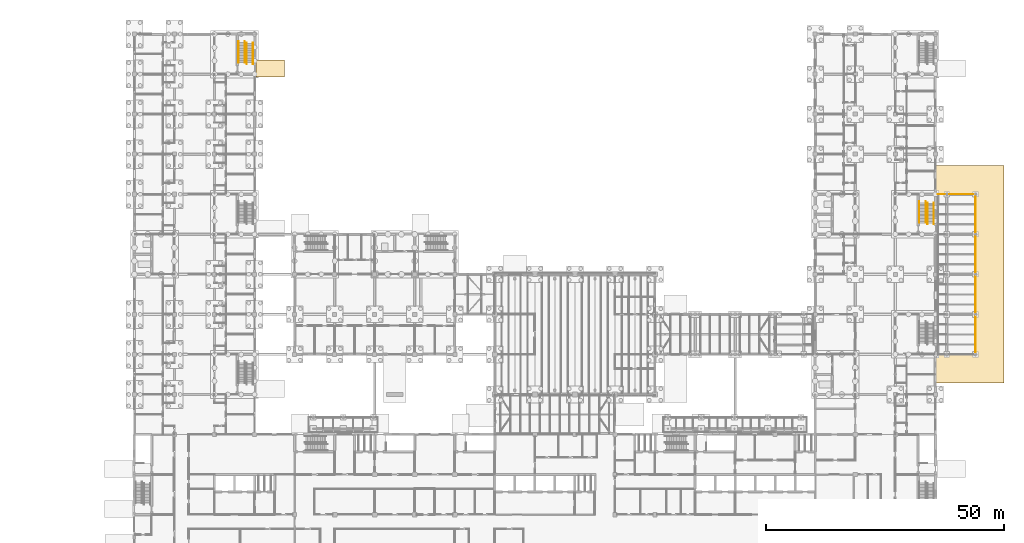
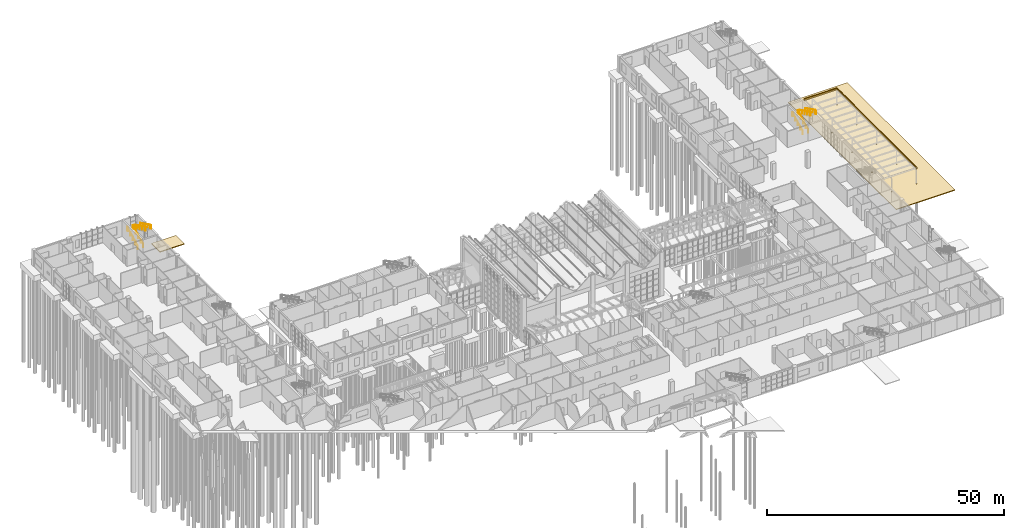
# One storey, part 136 of 138: 8 railings, 4 coverings.
"""IFC4 building model written with IfcOpenShell, lengths in metres."""

from ifc_helpers import new_model, si_unit, direction, frame, origin, origin_2d, place, context, subcontext, project, spatial, polyline, circle, outline, extrude, material, layer, layer_set, type_object, element, save


model = new_model("IFC4")

# Units and contexts
model_context = context("Model", 3, precision=1e-05, world=origin(), true_north=direction((0.0, 1.0)))
body_context = subcontext(model_context, "Body", "Model", "MODEL_VIEW")
ifc_project = project(units=[si_unit("LENGTHUNIT", "METRE"), si_unit("AREAUNIT", "SQUARE_METRE"), si_unit("VOLUMEUNIT", "CUBIC_METRE"), si_unit("PLANEANGLEUNIT", "RADIAN"), si_unit("MASSUNIT", "GRAM", prefix="KILO")], contexts=[model_context])

# Site, building, storey
site_placement = place(None, origin())
site = spatial("IfcSite", under=ifc_project, at=site_placement, CompositionType="ELEMENT")
building_placement = place(site_placement, origin())
building = spatial("IfcBuilding", under=site, at=building_placement, Name="Yavir Park General Hospital", CompositionType="ELEMENT")
storey_placement = place(building_placement, origin())
storey = spatial("IfcBuildingStorey", under=building, at=storey_placement, Name="L00", CompositionType="ELEMENT", Elevation=0.0)

# Coverings
ifc_material_1 = material(Name="Aluminium composite cladding", Category="aluminium")
ifc_layer_1 = layer(ifc_material_1, 0.0400390625)
ifc_layer_set_1 = layer_set([ifc_layer_1], Name="Aluminium composite cladding")
covering_type_1 = type_object("IfcCoveringType", Name="Canopy fascia 40", PredefinedType="CLADDING", material=ifc_layer_set_1)
covering_1_placement = place(storey_placement, frame((0.0, 0.0, 3.85009765625)))
element("IfcCovering", 1, at=covering_1_placement, inside=storey, type_object=covering_type_1, Name="Canopy fascia AMB N", PredefinedType="CLADDING", context=body_context, shape_type="SweptSolid", body=[
    extrude(outline(polyline([(168.4599609375, 84.0), (176.43994140625, 84.0), (176.43994140625, 84.0400390625), (168.4599609375, 84.0400390625), (168.4599609375, 84.0)])), origin(), (0.0, 0.0, 1.0), 0.449951171875),
])
covering_2_placement = place(storey_placement, frame((0.0, 0.0, 3.85009765625)))
element("IfcCovering", 2, at=covering_2_placement, inside=storey, type_object=covering_type_1, Name="Canopy fascia AMB E", PredefinedType="CLADDING", context=body_context, shape_type="SweptSolid", body=[
    extrude(outline(polyline([(176.39990234375, 50.39990234375), (176.43994140625, 50.39990234375), (176.43994140625, 84.0), (176.39990234375, 84.0), (176.39990234375, 50.39990234375)])), origin(), (0.0, 0.0, 1.0), 0.449951171875),
])
ifc_material_2 = material(Name="Precast paving flags on a compacted sub-base", Category="concrete")
ifc_layer_2 = layer(ifc_material_2, 0.199951171875)
ifc_layer_set_2 = layer_set([ifc_layer_2], Name="Precast paving flags on a compacted sub-base")
covering_type_2 = type_object("IfcCoveringType", Name="External paving 200", PredefinedType="FLOORING", material=ifc_layer_set_2)
covering_3_placement = place(storey_placement, frame((0.0, 0.0, -0.199951171875)))
element("IfcCovering", 3, at=covering_3_placement, inside=storey, type_object=covering_type_2, Name="Apron A under the ambulance canopy", PredefinedType="FLOORING", context=body_context, shape_type="SweptSolid", body=[
    extrude(outline(polyline([(168.0, 90.0), (182.39990234375, 90.0), (182.39990234375, 44.39990234375), (168.0, 44.39990234375), (168.0, 90.0)]), holes=[polyline([(170.50732421875, 50.378662109375), (170.509033203125, 50.389404296875), (170.509521484375, 50.39990234375), (170.509033203125, 50.41064453125), (170.50732421875, 50.42138671875), (170.5048828125, 50.431884765625), (170.501220703125, 50.44189453125), (170.49658203125, 50.45166015625), (170.4912109375, 50.4609375), (170.484619140625, 50.469482421875), (170.4775390625, 50.4775390625), (170.469482421875, 50.484619140625), (170.4609375, 50.4912109375), (170.45166015625, 50.49658203125), (170.44189453125, 50.501220703125), (170.431884765625, 50.5048828125), (170.42138671875, 50.50732421875), (170.41064453125, 50.509033203125), (170.39990234375, 50.509521484375), (170.389404296875, 50.509033203125), (170.378662109375, 50.50732421875), (170.3681640625, 50.5048828125), (170.358154296875, 50.501220703125), (170.348388671875, 50.49658203125), (170.339111328125, 50.4912109375), (170.33056640625, 50.484619140625), (170.322509765625, 50.4775390625), (170.315185546875, 50.469482421875), (170.308837890625, 50.4609375), (170.303466796875, 50.45166015625), (170.298828125, 50.44189453125), (170.295166015625, 50.431884765625), (170.29248046875, 50.42138671875), (170.291015625, 50.41064453125), (170.290283203125, 50.39990234375), (170.291015625, 50.389404296875), (170.29248046875, 50.378662109375), (170.295166015625, 50.3681640625), (170.298828125, 50.358154296875), (170.303466796875, 50.348388671875), (170.308837890625, 50.339111328125), (170.315185546875, 50.33056640625), (170.322509765625, 50.322509765625), (170.33056640625, 50.315185546875), (170.339111328125, 50.308837890625), (170.348388671875, 50.303466796875), (170.358154296875, 50.298828125), (170.3681640625, 50.295166015625), (170.378662109375, 50.29248046875), (170.389404296875, 50.291015625), (170.39990234375, 50.290283203125), (170.41064453125, 50.291015625), (170.42138671875, 50.29248046875), (170.431884765625, 50.295166015625), (170.44189453125, 50.298828125), (170.45166015625, 50.303466796875), (170.4609375, 50.308837890625), (170.469482421875, 50.315185546875), (170.4775390625, 50.322509765625), (170.484619140625, 50.33056640625), (170.4912109375, 50.339111328125), (170.49658203125, 50.348388671875), (170.501220703125, 50.358154296875), (170.5048828125, 50.3681640625), (170.50732421875, 50.378662109375)]), polyline([(176.4951171875, 50.381103515625), (176.496337890625, 50.390380859375), (176.496826171875, 50.39990234375), (176.496337890625, 50.409423828125), (176.4951171875, 50.4189453125), (176.49267578125, 50.427978515625), (176.489501953125, 50.43701171875), (176.4853515625, 50.44580078125), (176.48046875, 50.453857421875), (176.474853515625, 50.46142578125), (176.468505859375, 50.468505859375), (176.46142578125, 50.474853515625), (176.453857421875, 50.48046875), (176.44580078125, 50.4853515625), (176.43701171875, 50.489501953125), (176.427978515625, 50.49267578125), (176.4189453125, 50.4951171875), (176.409423828125, 50.496337890625), (176.39990234375, 50.496826171875), (176.390380859375, 50.496337890625), (176.381103515625, 50.4951171875), (176.371826171875, 50.49267578125), (176.36279296875, 50.489501953125), (176.354248046875, 50.4853515625), (176.34619140625, 50.48046875), (176.338623046875, 50.474853515625), (176.33154296875, 50.468505859375), (176.3251953125, 50.46142578125), (176.319580078125, 50.453857421875), (176.314697265625, 50.44580078125), (176.310546875, 50.43701171875), (176.307373046875, 50.427978515625), (176.304931640625, 50.4189453125), (176.3037109375, 50.409423828125), (176.30322265625, 50.39990234375), (176.3037109375, 50.390380859375), (176.304931640625, 50.381103515625), (176.307373046875, 50.371826171875), (176.310546875, 50.36279296875), (176.314697265625, 50.354248046875), (176.319580078125, 50.34619140625), (176.3251953125, 50.338623046875), (176.33154296875, 50.33154296875), (176.338623046875, 50.3251953125), (176.34619140625, 50.319580078125), (176.354248046875, 50.314697265625), (176.36279296875, 50.310546875), (176.371826171875, 50.307373046875), (176.381103515625, 50.304931640625), (176.390380859375, 50.3037109375), (176.39990234375, 50.302978515625), (176.409423828125, 50.3037109375), (176.4189453125, 50.304931640625), (176.427978515625, 50.307373046875), (176.43701171875, 50.310546875), (176.44580078125, 50.314697265625), (176.453857421875, 50.319580078125), (176.46142578125, 50.3251953125), (176.468505859375, 50.33154296875), (176.474853515625, 50.338623046875), (176.48046875, 50.34619140625), (176.4853515625, 50.354248046875), (176.489501953125, 50.36279296875), (176.49267578125, 50.371826171875), (176.4951171875, 50.381103515625)]), polyline([(170.50732421875, 58.778564453125), (170.509033203125, 58.789306640625), (170.509521484375, 58.800048828125), (170.509033203125, 58.810791015625), (170.50732421875, 58.8212890625), (170.5048828125, 58.831787109375), (170.501220703125, 58.841796875), (170.49658203125, 58.8515625), (170.4912109375, 58.86083984375), (170.484619140625, 58.869384765625), (170.4775390625, 58.87744140625), (170.469482421875, 58.884765625), (170.4609375, 58.89111328125), (170.45166015625, 58.896484375), (170.44189453125, 58.901123046875), (170.431884765625, 58.90478515625), (170.42138671875, 58.907470703125), (170.41064453125, 58.908935546875), (170.39990234375, 58.909423828125), (170.389404296875, 58.908935546875), (170.378662109375, 58.907470703125), (170.3681640625, 58.90478515625), (170.358154296875, 58.901123046875), (170.348388671875, 58.896484375), (170.339111328125, 58.89111328125), (170.33056640625, 58.884765625), (170.322509765625, 58.87744140625), (170.315185546875, 58.869384765625), (170.308837890625, 58.86083984375), (170.303466796875, 58.8515625), (170.298828125, 58.841796875), (170.295166015625, 58.831787109375), (170.29248046875, 58.8212890625), (170.291015625, 58.810791015625), (170.290283203125, 58.800048828125), (170.291015625, 58.789306640625), (170.29248046875, 58.778564453125), (170.295166015625, 58.768310546875), (170.298828125, 58.758056640625), (170.303466796875, 58.748291015625), (170.308837890625, 58.739013671875), (170.315185546875, 58.73046875), (170.322509765625, 58.722412109375), (170.33056640625, 58.71533203125), (170.339111328125, 58.708984375), (170.348388671875, 58.703369140625), (170.358154296875, 58.69873046875), (170.3681640625, 58.6953125), (170.378662109375, 58.692626953125), (170.389404296875, 58.69091796875), (170.39990234375, 58.6904296875), (170.41064453125, 58.69091796875), (170.42138671875, 58.692626953125), (170.431884765625, 58.6953125), (170.44189453125, 58.69873046875), (170.45166015625, 58.703369140625), (170.4609375, 58.708984375), (170.469482421875, 58.71533203125), (170.4775390625, 58.722412109375), (170.484619140625, 58.73046875), (170.4912109375, 58.739013671875), (170.49658203125, 58.748291015625), (170.501220703125, 58.758056640625), (170.5048828125, 58.768310546875), (170.50732421875, 58.778564453125)]), polyline([(176.4951171875, 58.781005859375), (176.496337890625, 58.79052734375), (176.496826171875, 58.800048828125), (176.496337890625, 58.8095703125), (176.4951171875, 58.81884765625), (176.49267578125, 58.828125), (176.489501953125, 58.837158203125), (176.4853515625, 58.845703125), (176.48046875, 58.853759765625), (176.474853515625, 58.861328125), (176.468505859375, 58.868408203125), (176.46142578125, 58.875), (176.453857421875, 58.880615234375), (176.44580078125, 58.885498046875), (176.43701171875, 58.889404296875), (176.427978515625, 58.892578125), (176.4189453125, 58.89501953125), (176.409423828125, 58.896484375), (176.39990234375, 58.89697265625), (176.390380859375, 58.896484375), (176.381103515625, 58.89501953125), (176.371826171875, 58.892578125), (176.36279296875, 58.889404296875), (176.354248046875, 58.885498046875), (176.34619140625, 58.880615234375), (176.338623046875, 58.875), (176.33154296875, 58.868408203125), (176.3251953125, 58.861328125), (176.319580078125, 58.853759765625), (176.314697265625, 58.845703125), (176.310546875, 58.837158203125), (176.307373046875, 58.828125), (176.304931640625, 58.81884765625), (176.3037109375, 58.8095703125), (176.30322265625, 58.800048828125), (176.3037109375, 58.79052734375), (176.304931640625, 58.781005859375), (176.307373046875, 58.77197265625), (176.310546875, 58.762939453125), (176.314697265625, 58.75439453125), (176.319580078125, 58.74609375), (176.3251953125, 58.738525390625), (176.33154296875, 58.7314453125), (176.338623046875, 58.72509765625), (176.34619140625, 58.719482421875), (176.354248046875, 58.714599609375), (176.36279296875, 58.71044921875), (176.371826171875, 58.707275390625), (176.381103515625, 58.705078125), (176.390380859375, 58.70361328125), (176.39990234375, 58.703125), (176.409423828125, 58.70361328125), (176.4189453125, 58.705078125), (176.427978515625, 58.707275390625), (176.43701171875, 58.71044921875), (176.44580078125, 58.714599609375), (176.453857421875, 58.719482421875), (176.46142578125, 58.72509765625), (176.468505859375, 58.7314453125), (176.474853515625, 58.738525390625), (176.48046875, 58.74609375), (176.4853515625, 58.75439453125), (176.489501953125, 58.762939453125), (176.49267578125, 58.77197265625), (176.4951171875, 58.781005859375)]), polyline([(170.509033203125, 67.189208984375), (170.509521484375, 67.199951171875), (170.509033203125, 67.210693359375), (170.50732421875, 67.221435546875), (170.5048828125, 67.231689453125), (170.501220703125, 67.241943359375), (170.49658203125, 67.251708984375), (170.4912109375, 67.260986328125), (170.484619140625, 67.26953125), (170.4775390625, 67.277587890625), (170.469482421875, 67.28466796875), (170.4609375, 67.291015625), (170.45166015625, 67.296630859375), (170.44189453125, 67.30126953125), (170.431884765625, 67.3046875), (170.42138671875, 67.307373046875), (170.41064453125, 67.30908203125), (170.39990234375, 67.3095703125), (170.389404296875, 67.30908203125), (170.378662109375, 67.307373046875), (170.3681640625, 67.3046875), (170.358154296875, 67.30126953125), (170.348388671875, 67.296630859375), (170.339111328125, 67.291015625), (170.33056640625, 67.28466796875), (170.322509765625, 67.277587890625), (170.315185546875, 67.26953125), (170.308837890625, 67.260986328125), (170.303466796875, 67.251708984375), (170.298828125, 67.241943359375), (170.295166015625, 67.231689453125), (170.29248046875, 67.221435546875), (170.291015625, 67.210693359375), (170.290283203125, 67.199951171875), (170.291015625, 67.189208984375), (170.29248046875, 67.1787109375), (170.295166015625, 67.168212890625), (170.298828125, 67.158203125), (170.303466796875, 67.1484375), (170.308837890625, 67.13916015625), (170.315185546875, 67.130615234375), (170.322509765625, 67.12255859375), (170.33056640625, 67.115234375), (170.339111328125, 67.10888671875), (170.348388671875, 67.103515625), (170.358154296875, 67.098876953125), (170.3681640625, 67.09521484375), (170.378662109375, 67.092529296875), (170.389404296875, 67.091064453125), (170.39990234375, 67.090576171875), (170.41064453125, 67.091064453125), (170.42138671875, 67.092529296875), (170.431884765625, 67.09521484375), (170.44189453125, 67.098876953125), (170.45166015625, 67.103515625), (170.4609375, 67.10888671875), (170.469482421875, 67.115234375), (170.4775390625, 67.12255859375), (170.484619140625, 67.130615234375), (170.4912109375, 67.13916015625), (170.49658203125, 67.1484375), (170.501220703125, 67.158203125), (170.5048828125, 67.168212890625), (170.50732421875, 67.1787109375), (170.509033203125, 67.189208984375)]), polyline([(176.4951171875, 67.18115234375), (176.496337890625, 67.1904296875), (176.496826171875, 67.199951171875), (176.496337890625, 67.20947265625), (176.4951171875, 67.218994140625), (176.49267578125, 67.22802734375), (176.489501953125, 67.237060546875), (176.4853515625, 67.24560546875), (176.48046875, 67.25390625), (176.474853515625, 67.261474609375), (176.468505859375, 67.2685546875), (176.46142578125, 67.27490234375), (176.453857421875, 67.280517578125), (176.44580078125, 67.285400390625), (176.43701171875, 67.28955078125), (176.427978515625, 67.292724609375), (176.4189453125, 67.294921875), (176.409423828125, 67.29638671875), (176.39990234375, 67.296875), (176.390380859375, 67.29638671875), (176.381103515625, 67.294921875), (176.371826171875, 67.292724609375), (176.36279296875, 67.28955078125), (176.354248046875, 67.285400390625), (176.34619140625, 67.280517578125), (176.338623046875, 67.27490234375), (176.33154296875, 67.2685546875), (176.3251953125, 67.261474609375), (176.319580078125, 67.25390625), (176.314697265625, 67.24560546875), (176.310546875, 67.237060546875), (176.307373046875, 67.22802734375), (176.304931640625, 67.218994140625), (176.3037109375, 67.20947265625), (176.30322265625, 67.199951171875), (176.3037109375, 67.1904296875), (176.304931640625, 67.18115234375), (176.307373046875, 67.171875), (176.310546875, 67.162841796875), (176.314697265625, 67.154296875), (176.319580078125, 67.146240234375), (176.3251953125, 67.138671875), (176.33154296875, 67.131591796875), (176.338623046875, 67.125), (176.34619140625, 67.119384765625), (176.354248046875, 67.114501953125), (176.36279296875, 67.110595703125), (176.371826171875, 67.107421875), (176.381103515625, 67.10498046875), (176.390380859375, 67.103515625), (176.39990234375, 67.10302734375), (176.409423828125, 67.103515625), (176.4189453125, 67.10498046875), (176.427978515625, 67.107421875), (176.43701171875, 67.110595703125), (176.44580078125, 67.114501953125), (176.453857421875, 67.119384765625), (176.46142578125, 67.125), (176.468505859375, 67.131591796875), (176.474853515625, 67.138671875), (176.48046875, 67.146240234375), (176.4853515625, 67.154296875), (176.489501953125, 67.162841796875), (176.49267578125, 67.171875), (176.4951171875, 67.18115234375)]), polyline([(170.50732421875, 75.57861328125), (170.509033203125, 75.58935546875), (170.509521484375, 75.60009765625), (170.509033203125, 75.610595703125), (170.50732421875, 75.621337890625), (170.5048828125, 75.6318359375), (170.501220703125, 75.641845703125), (170.49658203125, 75.651611328125), (170.4912109375, 75.660888671875), (170.484619140625, 75.66943359375), (170.4775390625, 75.677490234375), (170.469482421875, 75.684814453125), (170.4609375, 75.691162109375), (170.45166015625, 75.696533203125), (170.44189453125, 75.701171875), (170.431884765625, 75.704833984375), (170.42138671875, 75.70751953125), (170.41064453125, 75.708984375), (170.39990234375, 75.70947265625), (170.389404296875, 75.708984375), (170.378662109375, 75.70751953125), (170.3681640625, 75.704833984375), (170.358154296875, 75.701171875), (170.348388671875, 75.696533203125), (170.339111328125, 75.691162109375), (170.33056640625, 75.684814453125), (170.322509765625, 75.677490234375), (170.315185546875, 75.66943359375), (170.308837890625, 75.660888671875), (170.303466796875, 75.651611328125), (170.298828125, 75.641845703125), (170.295166015625, 75.6318359375), (170.29248046875, 75.621337890625), (170.291015625, 75.610595703125), (170.290283203125, 75.60009765625), (170.291015625, 75.58935546875), (170.29248046875, 75.57861328125), (170.295166015625, 75.568115234375), (170.298828125, 75.55810546875), (170.303466796875, 75.54833984375), (170.308837890625, 75.5390625), (170.315185546875, 75.530517578125), (170.322509765625, 75.5224609375), (170.33056640625, 75.515380859375), (170.339111328125, 75.5087890625), (170.348388671875, 75.50341796875), (170.358154296875, 75.498779296875), (170.3681640625, 75.4951171875), (170.378662109375, 75.49267578125), (170.389404296875, 75.490966796875), (170.39990234375, 75.490478515625), (170.41064453125, 75.490966796875), (170.42138671875, 75.49267578125), (170.431884765625, 75.4951171875), (170.44189453125, 75.498779296875), (170.45166015625, 75.50341796875), (170.4609375, 75.5087890625), (170.469482421875, 75.515380859375), (170.4775390625, 75.5224609375), (170.484619140625, 75.530517578125), (170.4912109375, 75.5390625), (170.49658203125, 75.54833984375), (170.501220703125, 75.55810546875), (170.5048828125, 75.568115234375), (170.50732421875, 75.57861328125)]), polyline([(176.4951171875, 75.5810546875), (176.496337890625, 75.590576171875), (176.496826171875, 75.60009765625), (176.496337890625, 75.609619140625), (176.4951171875, 75.618896484375), (176.49267578125, 75.628173828125), (176.489501953125, 75.63720703125), (176.4853515625, 75.645751953125), (176.48046875, 75.65380859375), (176.474853515625, 75.661376953125), (176.468505859375, 75.66845703125), (176.46142578125, 75.6748046875), (176.453857421875, 75.680419921875), (176.44580078125, 75.685302734375), (176.43701171875, 75.689453125), (176.427978515625, 75.692626953125), (176.4189453125, 75.695068359375), (176.409423828125, 75.6962890625), (176.39990234375, 75.69677734375), (176.390380859375, 75.6962890625), (176.381103515625, 75.695068359375), (176.371826171875, 75.692626953125), (176.36279296875, 75.689453125), (176.354248046875, 75.685302734375), (176.34619140625, 75.680419921875), (176.338623046875, 75.6748046875), (176.33154296875, 75.66845703125), (176.3251953125, 75.661376953125), (176.319580078125, 75.65380859375), (176.314697265625, 75.645751953125), (176.310546875, 75.63720703125), (176.307373046875, 75.628173828125), (176.304931640625, 75.618896484375), (176.3037109375, 75.609619140625), (176.30322265625, 75.60009765625), (176.3037109375, 75.590576171875), (176.304931640625, 75.5810546875), (176.307373046875, 75.572021484375), (176.310546875, 75.56298828125), (176.314697265625, 75.55419921875), (176.319580078125, 75.546142578125), (176.3251953125, 75.53857421875), (176.33154296875, 75.531494140625), (176.338623046875, 75.525146484375), (176.34619140625, 75.51953125), (176.354248046875, 75.5146484375), (176.36279296875, 75.510498046875), (176.371826171875, 75.50732421875), (176.381103515625, 75.5048828125), (176.390380859375, 75.503662109375), (176.39990234375, 75.503173828125), (176.409423828125, 75.503662109375), (176.4189453125, 75.5048828125), (176.427978515625, 75.50732421875), (176.43701171875, 75.510498046875), (176.44580078125, 75.5146484375), (176.453857421875, 75.51953125), (176.46142578125, 75.525146484375), (176.468505859375, 75.531494140625), (176.474853515625, 75.53857421875), (176.48046875, 75.546142578125), (176.4853515625, 75.55419921875), (176.489501953125, 75.56298828125), (176.49267578125, 75.572021484375), (176.4951171875, 75.5810546875)]), polyline([(170.50732421875, 83.978515625), (170.509033203125, 83.9892578125), (170.509521484375, 84.0), (170.509033203125, 84.0107421875), (170.50732421875, 84.021484375), (170.5048828125, 84.03173828125), (170.501220703125, 84.0419921875), (170.49658203125, 84.051513671875), (170.4912109375, 84.060791015625), (170.484619140625, 84.069580078125), (170.4775390625, 84.077392578125), (170.469482421875, 84.084716796875), (170.4609375, 84.091064453125), (170.45166015625, 84.0966796875), (170.44189453125, 84.101318359375), (170.431884765625, 84.104736328125), (170.42138671875, 84.107421875), (170.41064453125, 84.10888671875), (170.39990234375, 84.109619140625), (170.389404296875, 84.10888671875), (170.378662109375, 84.107421875), (170.3681640625, 84.104736328125), (170.358154296875, 84.101318359375), (170.348388671875, 84.0966796875), (170.339111328125, 84.091064453125), (170.33056640625, 84.084716796875), (170.322509765625, 84.077392578125), (170.315185546875, 84.069580078125), (170.308837890625, 84.060791015625), (170.303466796875, 84.051513671875), (170.298828125, 84.0419921875), (170.295166015625, 84.03173828125), (170.29248046875, 84.021484375), (170.291015625, 84.0107421875), (170.290283203125, 84.0), (170.291015625, 83.9892578125), (170.29248046875, 83.978515625), (170.295166015625, 83.96826171875), (170.298828125, 83.9580078125), (170.303466796875, 83.948486328125), (170.308837890625, 83.939208984375), (170.315185546875, 83.930419921875), (170.322509765625, 83.922607421875), (170.33056640625, 83.915283203125), (170.339111328125, 83.908935546875), (170.348388671875, 83.9033203125), (170.358154296875, 83.898681640625), (170.3681640625, 83.895263671875), (170.378662109375, 83.892578125), (170.389404296875, 83.89111328125), (170.39990234375, 83.890380859375), (170.41064453125, 83.89111328125), (170.42138671875, 83.892578125), (170.431884765625, 83.895263671875), (170.44189453125, 83.898681640625), (170.45166015625, 83.9033203125), (170.4609375, 83.908935546875), (170.469482421875, 83.915283203125), (170.4775390625, 83.922607421875), (170.484619140625, 83.930419921875), (170.4912109375, 83.939208984375), (170.49658203125, 83.948486328125), (170.501220703125, 83.9580078125), (170.5048828125, 83.96826171875), (170.50732421875, 83.978515625)]), polyline([(176.4951171875, 83.981201171875), (176.496337890625, 83.990478515625), (176.496826171875, 84.0), (176.496337890625, 84.009521484375), (176.4951171875, 84.018798828125), (176.49267578125, 84.028076171875), (176.489501953125, 84.037109375), (176.4853515625, 84.045654296875), (176.48046875, 84.0537109375), (176.474853515625, 84.061279296875), (176.468505859375, 84.068603515625), (176.46142578125, 84.074951171875), (176.453857421875, 84.08056640625), (176.44580078125, 84.08544921875), (176.43701171875, 84.089599609375), (176.427978515625, 84.0927734375), (176.4189453125, 84.094970703125), (176.409423828125, 84.096435546875), (176.39990234375, 84.096923828125), (176.390380859375, 84.096435546875), (176.381103515625, 84.094970703125), (176.371826171875, 84.0927734375), (176.36279296875, 84.089599609375), (176.354248046875, 84.08544921875), (176.34619140625, 84.08056640625), (176.338623046875, 84.074951171875), (176.33154296875, 84.068603515625), (176.3251953125, 84.061279296875), (176.319580078125, 84.0537109375), (176.314697265625, 84.045654296875), (176.310546875, 84.037109375), (176.307373046875, 84.028076171875), (176.304931640625, 84.018798828125), (176.3037109375, 84.009521484375), (176.30322265625, 84.0), (176.3037109375, 83.990478515625), (176.304931640625, 83.981201171875), (176.307373046875, 83.971923828125), (176.310546875, 83.962890625), (176.314697265625, 83.954345703125), (176.319580078125, 83.9462890625), (176.3251953125, 83.938720703125), (176.33154296875, 83.931396484375), (176.338623046875, 83.925048828125), (176.34619140625, 83.91943359375), (176.354248046875, 83.91455078125), (176.36279296875, 83.910400390625), (176.371826171875, 83.9072265625), (176.381103515625, 83.905029296875), (176.390380859375, 83.903564453125), (176.39990234375, 83.903076171875), (176.409423828125, 83.903564453125), (176.4189453125, 83.905029296875), (176.427978515625, 83.9072265625), (176.43701171875, 83.910400390625), (176.44580078125, 83.91455078125), (176.453857421875, 83.91943359375), (176.46142578125, 83.925048828125), (176.468505859375, 83.931396484375), (176.474853515625, 83.938720703125), (176.48046875, 83.9462890625), (176.4853515625, 83.954345703125), (176.489501953125, 83.962890625), (176.49267578125, 83.971923828125), (176.4951171875, 83.981201171875)])]), origin(), (0.0, 0.0, 1.0), 0.199951171875),
])
covering_4_placement = place(storey_placement, frame((0.0, 0.0, -0.199951171875)))
element("IfcCovering", 4, at=covering_4_placement, inside=storey, type_object=covering_type_2, Name="Entrance paving east 3", PredefinedType="FLOORING", context=body_context, shape_type="SweptSolid", body=[
    extrude(outline(polyline([(31.5, 108.60009765625), (25.5, 108.60009765625), (25.5, 109.199951171875), (25.5, 112.199951171875), (31.5, 112.199951171875), (31.5, 108.60009765625)])), origin(), (0.0, 0.0, 1.0), 0.199951171875),
])

# Railings
ifc_material_3 = material(Name="Stainless steel tube 48 mm", Category="steel")
railing_type = type_object("IfcRailingType", Name="Stair handrail, steel tube, 900 mm above the nosings", PredefinedType="HANDRAIL", material=ifc_material_3)
for number, where, name in (
    (5, (21.840087890625, 111.60009765625, 0.14990234375), "Handrail SW3 L00 1"),
    (6, (23.159912109375, 111.60009765625, 0.14990234375), "Handrail SW3 L00 2"),
):
    element("IfcRailing", number, at=place(storey_placement, frame(where)), inside=storey, type_object=railing_type, Name=name, PredefinedType="HANDRAIL", context=body_context, shape_type="SweptSolid", body=[
        extrude(circle(Radius=0.02392578125, at=origin_2d()), frame((0.0, 0.0, 0.8759765625), z_axis=(0.0, 0.894416792377, 0.447234392142), x_axis=(-1.0, 0.0, 0.0)), (0.0, 0.0, 1.0), 4.69580078125),
        extrude(circle(Radius=0.02392578125, at=origin_2d()), frame((0.0, 4.199951171875, 2.97607421875), z_axis=(0.0, 1.0, 0.0), x_axis=(-1.0, 0.0, 0.0)), (0.0, 0.0, 1.0), 0.300048828125),
        extrude(circle(Radius=0.02099609375, at=origin_2d()), origin(), (0.0, 0.0, 1.0), 0.851806640625),
        extrude(circle(Radius=0.02099609375, at=origin_2d()), frame((0.0, 1.050048828125, 0.52490234375)), (0.0, 0.0, 1.0), 0.851806640625),
        extrude(circle(Radius=0.02099609375, at=origin_2d()), frame((0.0, 2.10009765625, 1.050048828125)), (0.0, 0.0, 1.0), 0.851806640625),
        extrude(circle(Radius=0.02099609375, at=origin_2d()), frame((0.0, 3.14990234375, 1.5751953125)), (0.0, 0.0, 1.0), 0.851806640625),
        extrude(circle(Radius=0.02099609375, at=origin_2d()), frame((0.0, 4.199951171875, 2.10009765625)), (0.0, 0.0, 1.0), 0.851806640625),
        extrude(circle(Radius=0.02099609375, at=origin_2d()), frame((0.0, 4.5, 2.10009765625)), (0.0, 0.0, 1.0), 0.851806640625),
    ])
for number, where, name in (
    (7, (24.860107421875, 115.800048828125, 2.39990234375), "Handrail SW3 L00 3"),
    (8, (23.5400390625, 115.800048828125, 2.39990234375), "Handrail SW3 L00 4"),
):
    element("IfcRailing", number, at=place(storey_placement, frame(where)), inside=storey, type_object=railing_type, Name=name, PredefinedType="HANDRAIL", context=body_context, shape_type="SweptSolid", body=[
        extrude(circle(Radius=0.02392578125, at=origin_2d()), frame((0.0, 0.0, 0.8759765625), z_axis=(0.0, -0.894416792377, 0.447234392142), x_axis=(1.0, 0.0, 0.0)), (0.0, 0.0, 1.0), 4.69580078125),
        extrude(circle(Radius=0.02392578125, at=origin_2d()), frame((0.0, -4.199951171875, 2.97607421875), z_axis=(0.0, -1.0, 0.0), x_axis=(1.0, 0.0, 0.0)), (0.0, 0.0, 1.0), 0.300048828125),
        extrude(circle(Radius=0.02099609375, at=origin_2d()), origin(), (0.0, 0.0, 1.0), 0.851806640625),
        extrude(circle(Radius=0.02099609375, at=origin_2d()), frame((0.0, -1.050048828125, 0.52490234375)), (0.0, 0.0, 1.0), 0.851806640625),
        extrude(circle(Radius=0.02099609375, at=origin_2d()), frame((0.0, -2.10009765625, 1.050048828125)), (0.0, 0.0, 1.0), 0.851806640625),
        extrude(circle(Radius=0.02099609375, at=origin_2d()), frame((0.0, -3.14990234375, 1.5751953125)), (0.0, 0.0, 1.0), 0.851806640625),
        extrude(circle(Radius=0.02099609375, at=origin_2d()), frame((0.0, -4.199951171875, 2.10009765625)), (0.0, 0.0, 1.0), 0.851806640625),
        extrude(circle(Radius=0.02099609375, at=origin_2d()), frame((0.0, -4.5, 2.10009765625)), (0.0, 0.0, 1.0), 0.851806640625),
    ])
for number, where, name in (
    (9, (164.639892578125, 78.0, 0.14990234375), "Handrail ES2 L00 1"),
    (10, (165.9599609375, 78.0, 0.14990234375), "Handrail ES2 L00 2"),
):
    element("IfcRailing", number, at=place(storey_placement, frame(where)), inside=storey, type_object=railing_type, Name=name, PredefinedType="HANDRAIL", context=body_context, shape_type="SweptSolid", body=[
        extrude(circle(Radius=0.02392578125, at=origin_2d()), frame((0.0, 0.0, 0.8759765625), z_axis=(0.0, 0.894416792377, 0.447234392142), x_axis=(-1.0, 0.0, 0.0)), (0.0, 0.0, 1.0), 4.69580078125),
        extrude(circle(Radius=0.02392578125, at=origin_2d()), frame((0.0, 4.199951171875, 2.97607421875), z_axis=(0.0, 1.0, 0.0), x_axis=(-1.0, 0.0, 0.0)), (0.0, 0.0, 1.0), 0.300048828125),
        extrude(circle(Radius=0.02099609375, at=origin_2d()), origin(), (0.0, 0.0, 1.0), 0.851806640625),
        extrude(circle(Radius=0.02099609375, at=origin_2d()), frame((0.0, 1.050048828125, 0.52490234375)), (0.0, 0.0, 1.0), 0.851806640625),
        extrude(circle(Radius=0.02099609375, at=origin_2d()), frame((0.0, 2.10009765625, 1.050048828125)), (0.0, 0.0, 1.0), 0.851806640625),
        extrude(circle(Radius=0.02099609375, at=origin_2d()), frame((0.0, 3.14990234375, 1.5751953125)), (0.0, 0.0, 1.0), 0.851806640625),
        extrude(circle(Radius=0.02099609375, at=origin_2d()), frame((0.0, 4.199951171875, 2.10009765625)), (0.0, 0.0, 1.0), 0.851806640625),
        extrude(circle(Radius=0.02099609375, at=origin_2d()), frame((0.0, 4.5, 2.10009765625)), (0.0, 0.0, 1.0), 0.851806640625),
    ])
for number, where, name in (
    (11, (167.659912109375, 82.199951171875, 2.39990234375), "Handrail ES2 L00 3"),
    (12, (166.340087890625, 82.199951171875, 2.39990234375), "Handrail ES2 L00 4"),
):
    element("IfcRailing", number, at=place(storey_placement, frame(where)), inside=storey, type_object=railing_type, Name=name, PredefinedType="HANDRAIL", context=body_context, shape_type="SweptSolid", body=[
        extrude(circle(Radius=0.02392578125, at=origin_2d()), frame((0.0, 0.0, 0.8759765625), z_axis=(0.0, -0.894416792377, 0.447234392142), x_axis=(1.0, 0.0, 0.0)), (0.0, 0.0, 1.0), 4.69580078125),
        extrude(circle(Radius=0.02392578125, at=origin_2d()), frame((0.0, -4.199951171875, 2.97607421875), z_axis=(0.0, -1.0, 0.0), x_axis=(1.0, 0.0, 0.0)), (0.0, 0.0, 1.0), 0.300048828125),
        extrude(circle(Radius=0.02099609375, at=origin_2d()), origin(), (0.0, 0.0, 1.0), 0.851806640625),
        extrude(circle(Radius=0.02099609375, at=origin_2d()), frame((0.0, -1.050048828125, 0.52490234375)), (0.0, 0.0, 1.0), 0.851806640625),
        extrude(circle(Radius=0.02099609375, at=origin_2d()), frame((0.0, -2.10009765625, 1.050048828125)), (0.0, 0.0, 1.0), 0.851806640625),
        extrude(circle(Radius=0.02099609375, at=origin_2d()), frame((0.0, -3.14990234375, 1.5751953125)), (0.0, 0.0, 1.0), 0.851806640625),
        extrude(circle(Radius=0.02099609375, at=origin_2d()), frame((0.0, -4.199951171875, 2.10009765625)), (0.0, 0.0, 1.0), 0.851806640625),
        extrude(circle(Radius=0.02099609375, at=origin_2d()), frame((0.0, -4.5, 2.10009765625)), (0.0, 0.0, 1.0), 0.851806640625),
    ])

save(model, "model.ifc")
